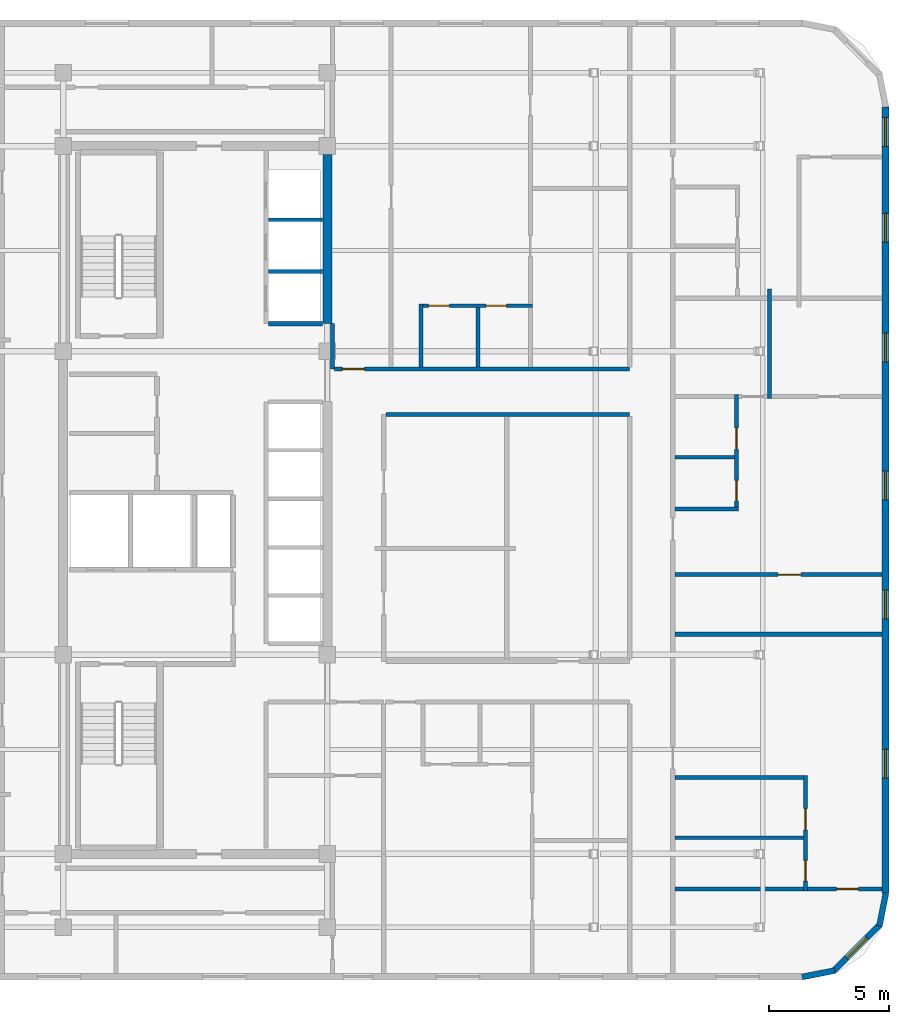
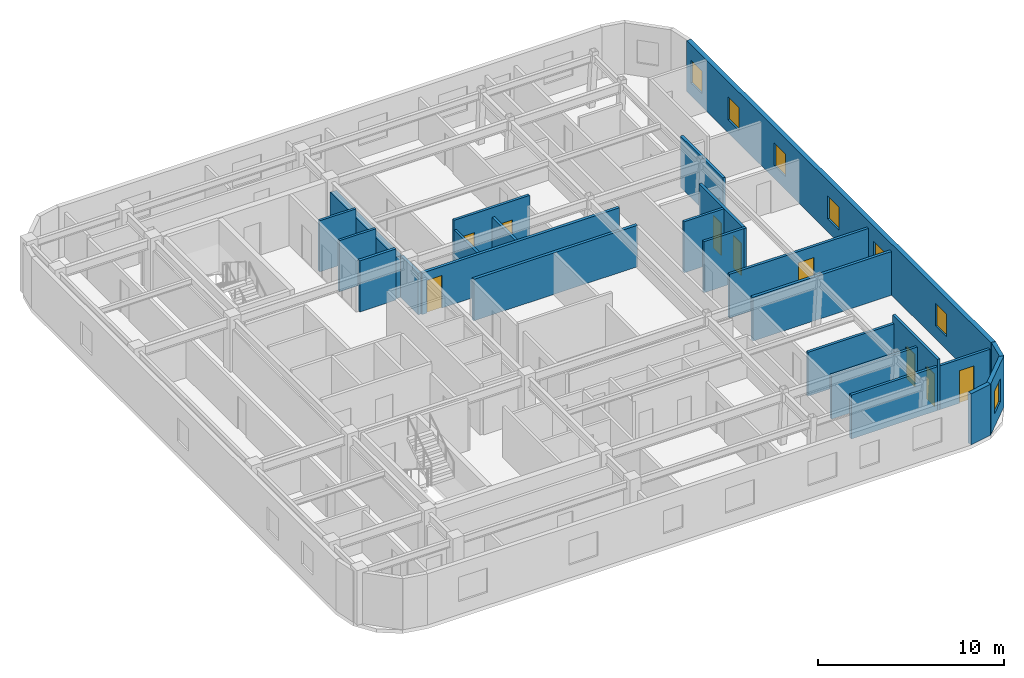
# One storey, part 5 of 8: 24 walls, 9 doors, 7 windows, 16 openings.
"""IFC4 building model written with IfcOpenShell, lengths in metres."""

from ifc_helpers import new_model, si_unit, direction, frame, frame_2d, origin, place, context, subcontext, project, spatial, rectangle, extrude, material, layer, layer_set, type_object, element, fill, save


model = new_model("IFC4")

# Units and contexts
model_context = context("Model", 3, precision=1e-05, world=origin(), true_north=direction((0.0, 1.0)))
body_context = subcontext(model_context, "Body", "Model", "MODEL_VIEW")
ifc_project = project(units=[si_unit("LENGTHUNIT", "METRE"), si_unit("AREAUNIT", "SQUARE_METRE"), si_unit("VOLUMEUNIT", "CUBIC_METRE"), si_unit("PLANEANGLEUNIT", "RADIAN"), si_unit("MASSUNIT", "GRAM", prefix="KILO")], contexts=[model_context])

# Site, building, storey
site_placement = place(None, origin())
site = spatial("IfcSite", under=ifc_project, at=site_placement, CompositionType="ELEMENT")
building_placement = place(site_placement, origin())
building = spatial("IfcBuilding", under=site, at=building_placement, Name="Ochreholt Gables", CompositionType="ELEMENT")
storey_placement = place(building_placement, frame((0.0, 0.0, 181.199951171875)))
storey = spatial("IfcBuildingStorey", under=building, at=storey_placement, Name="L47", CompositionType="ELEMENT", Elevation=181.199951171875)

# Wall
ifc_material_1 = material(Name="Concrete 50 MPa", Category="concrete")
ifc_layer_1 = layer(ifc_material_1, 0.3798828125, Name="Concrete 50 MPa")
ifc_layer_set_1 = layer_set([ifc_layer_1], Name="Concrete 50 MPa")
wall_type_1 = type_object("IfcWallType", Name="WALL-CSW-380", PredefinedType="SHEAR", material=ifc_layer_set_1)
wall_1_placement = place(storey_placement, frame((35.2099609375, 31.35009765625, 0.0), z_axis=(0.0, 0.0, 1.0), x_axis=(0.0, 1.0, 0.0)))
element("IfcWall", 1, at=wall_1_placement, inside=storey, type_object=wall_type_1, Name="L47 Core North-East Shear Wall", PredefinedType="SHEAR", context=body_context, shape_type="SweptSolid", body=[
    extrude(rectangle(XDim=7.0498046875, YDim=0.3798828125, at=frame_2d((3.52490234375, 0.0))), origin(), (0.0, 0.0, 1.0), 2.748046875),
])

# Wall, openings, windows
ifc_material_2 = material(Name="Precast concrete 40 MPa", Category="concrete")
ifc_layer_2 = layer(ifc_material_2, 0.280029296875, Name="Precast concrete 40 MPa")
ifc_layer_set_2 = layer_set([ifc_layer_2], Name="Precast concrete 40 MPa")
wall_type_2 = type_object("IfcWallType", Name="WALL-EXT-280", PredefinedType="SOLIDWALL", material=ifc_layer_set_2)
wall_2_placement = place(storey_placement, frame((58.4599609375, 7.6201171875, 0.0), z_axis=(0.0, 0.0, 1.0), x_axis=(0.0, 1.0, 0.0)))
wall_2 = element("IfcWall", 2, at=wall_2_placement, inside=storey, type_object=wall_type_2, Name="L47 East Exterior Wall", PredefinedType="SOLIDWALL", context=body_context, shape_type="SweptSolid", body=[
    extrude(rectangle(XDim=32.759765625, YDim=0.280029296875, at=frame_2d((16.3798828125, 0.0))), origin(), (0.0, 0.0, 1.0), 3.360107421875),
])
opening_1_placement = place(wall_2_placement, frame((4.7900390625, 0.0, 0.85009765625)))
opening_1 = element("IfcOpeningElement", 3, at=opening_1_placement, cuts=wall_2, Name="Opening WN-3", PredefinedType="OPENING", context=body_context, shape_type="SweptSolid", body=[
    extrude(rectangle(XDim=1.199951171875, YDim=1.5, at=frame_2d((0.60009765625, 0.75))), frame((0.0, 0.14990234375, 0.0), z_axis=(0.0, -1.0, 0.0), x_axis=(1.0, 0.0, 0.0)), (0.0, 0.0, 1.0), 0.300048828125),
])
opening_2_placement = place(wall_2_placement, frame((11.425048828125, 0.0, 0.85009765625)))
opening_2 = element("IfcOpeningElement", 4, at=opening_2_placement, cuts=wall_2, Name="Opening WN-3", PredefinedType="OPENING", context=body_context, shape_type="SweptSolid", body=[
    extrude(rectangle(XDim=1.199951171875, YDim=1.5, at=frame_2d((0.60009765625, 0.75))), frame((0.0, 0.14990234375, 0.0), z_axis=(0.0, -1.0, 0.0), x_axis=(1.0, 0.0, 0.0)), (0.0, 0.0, 1.0), 0.300048828125),
])
opening_3_placement = place(wall_2_placement, frame((16.3798828125, 0.0, 0.85009765625)))
opening_3 = element("IfcOpeningElement", 5, at=opening_3_placement, cuts=wall_2, Name="Opening WN-3", PredefinedType="OPENING", context=body_context, shape_type="SweptSolid", body=[
    extrude(rectangle(XDim=1.199951171875, YDim=1.5, at=frame_2d((0.60009765625, 0.75))), frame((0.0, 0.14990234375, 0.0), z_axis=(0.0, -1.0, 0.0), x_axis=(1.0, 0.0, 0.0)), (0.0, 0.0, 1.0), 0.300048828125),
])
opening_4_placement = place(wall_2_placement, frame((22.135009765625, 0.0, 0.85009765625)))
opening_4 = element("IfcOpeningElement", 6, at=opening_4_placement, cuts=wall_2, Name="Opening WN-3", PredefinedType="OPENING", context=body_context, shape_type="SweptSolid", body=[
    extrude(rectangle(XDim=1.199951171875, YDim=1.5, at=frame_2d((0.60009765625, 0.75))), frame((0.0, 0.14990234375, 0.0), z_axis=(0.0, -1.0, 0.0), x_axis=(1.0, 0.0, 0.0)), (0.0, 0.0, 1.0), 0.300048828125),
])
opening_5_placement = place(wall_2_placement, frame((27.125, 0.0, 0.85009765625)))
opening_5 = element("IfcOpeningElement", 7, at=opening_5_placement, cuts=wall_2, Name="Opening WN-3", PredefinedType="OPENING", context=body_context, shape_type="SweptSolid", body=[
    extrude(rectangle(XDim=1.199951171875, YDim=1.5, at=frame_2d((0.60009765625, 0.75))), frame((0.0, 0.14990234375, 0.0), z_axis=(0.0, -1.0, 0.0), x_axis=(1.0, 0.0, 0.0)), (0.0, 0.0, 1.0), 0.300048828125),
])
opening_6_placement = place(wall_2_placement, frame((31.114990234375, 0.0, 0.85009765625)))
opening_6 = element("IfcOpeningElement", 8, at=opening_6_placement, cuts=wall_2, Name="Opening WN-3", PredefinedType="OPENING", context=body_context, shape_type="SweptSolid", body=[
    extrude(rectangle(XDim=1.199951171875, YDim=1.5, at=frame_2d((0.60009765625, 0.75))), frame((0.0, 0.14990234375, 0.0), z_axis=(0.0, -1.0, 0.0), x_axis=(1.0, 0.0, 0.0)), (0.0, 0.0, 1.0), 0.300048828125),
])
ifc_material_3 = material(Name="Triple-Glazed Thermally Broken Aluminium Window", Category="aluminium")
window_type = type_object("IfcWindowType", Name="WIN-RES-1200", PartitioningType="SINGLE_PANEL", PredefinedType="WINDOW", material=ifc_material_3)
window_1_placement = place(opening_1_placement, origin())
window_1 = element("IfcWindow", 9, at=window_1_placement, inside=storey, type_object=window_type, Name="L47 Window W-EXT-E-L47-1", OverallHeight=1.5, OverallWidth=1.199951171875, PartitioningType="SINGLE_PANEL", PredefinedType="WINDOW", context=body_context, shape_type="SweptSolid", body=[
    extrude(rectangle(XDim=1.199951171875, YDim=1.5, at=frame_2d((0.60009765625, 0.75))), frame((0.0, 0.030029296875, 0.0), z_axis=(0.0, -1.0, 0.0), x_axis=(1.0, 0.0, 0.0)), (0.0, 0.0, 1.0), 0.06005859375),
])
fill(opening_1, window_1)
window_2_placement = place(opening_2_placement, origin())
window_2 = element("IfcWindow", 10, at=window_2_placement, inside=storey, type_object=window_type, Name="L47 Window W-EXT-E-L47-2", OverallHeight=1.5, OverallWidth=1.199951171875, PartitioningType="SINGLE_PANEL", PredefinedType="WINDOW", context=body_context, shape_type="SweptSolid", body=[
    extrude(rectangle(XDim=1.199951171875, YDim=1.5, at=frame_2d((0.60009765625, 0.75))), frame((0.0, 0.030029296875, 0.0), z_axis=(0.0, -1.0, 0.0), x_axis=(1.0, 0.0, 0.0)), (0.0, 0.0, 1.0), 0.06005859375),
])
fill(opening_2, window_2)
window_3_placement = place(opening_3_placement, origin())
window_3 = element("IfcWindow", 11, at=window_3_placement, inside=storey, type_object=window_type, Name="L47 Window W-EXT-E-L47-3", OverallHeight=1.5, OverallWidth=1.199951171875, PartitioningType="SINGLE_PANEL", PredefinedType="WINDOW", context=body_context, shape_type="SweptSolid", body=[
    extrude(rectangle(XDim=1.199951171875, YDim=1.5, at=frame_2d((0.60009765625, 0.75))), frame((0.0, 0.030029296875, 0.0), z_axis=(0.0, -1.0, 0.0), x_axis=(1.0, 0.0, 0.0)), (0.0, 0.0, 1.0), 0.06005859375),
])
fill(opening_3, window_3)
window_4_placement = place(opening_4_placement, origin())
window_4 = element("IfcWindow", 12, at=window_4_placement, inside=storey, type_object=window_type, Name="L47 Window W-EXT-E-L47-4", OverallHeight=1.5, OverallWidth=1.199951171875, PartitioningType="SINGLE_PANEL", PredefinedType="WINDOW", context=body_context, shape_type="SweptSolid", body=[
    extrude(rectangle(XDim=1.199951171875, YDim=1.5, at=frame_2d((0.60009765625, 0.75))), frame((0.0, 0.030029296875, 0.0), z_axis=(0.0, -1.0, 0.0), x_axis=(1.0, 0.0, 0.0)), (0.0, 0.0, 1.0), 0.06005859375),
])
fill(opening_4, window_4)
window_5_placement = place(opening_5_placement, origin())
window_5 = element("IfcWindow", 13, at=window_5_placement, inside=storey, type_object=window_type, Name="L47 Window W-EXT-E-L47-5", OverallHeight=1.5, OverallWidth=1.199951171875, PartitioningType="SINGLE_PANEL", PredefinedType="WINDOW", context=body_context, shape_type="SweptSolid", body=[
    extrude(rectangle(XDim=1.199951171875, YDim=1.5, at=frame_2d((0.60009765625, 0.75))), frame((0.0, 0.030029296875, 0.0), z_axis=(0.0, -1.0, 0.0), x_axis=(1.0, 0.0, 0.0)), (0.0, 0.0, 1.0), 0.06005859375),
])
fill(opening_5, window_5)
window_6_placement = place(opening_6_placement, origin())
window_6 = element("IfcWindow", 14, at=window_6_placement, inside=storey, type_object=window_type, Name="L47 Window W-EXT-E-L47-6", OverallHeight=1.5, OverallWidth=1.199951171875, PartitioningType="SINGLE_PANEL", PredefinedType="WINDOW", context=body_context, shape_type="SweptSolid", body=[
    extrude(rectangle(XDim=1.199951171875, YDim=1.5, at=frame_2d((0.60009765625, 0.75))), frame((0.0, 0.030029296875, 0.0), z_axis=(0.0, -1.0, 0.0), x_axis=(1.0, 0.0, 0.0)), (0.0, 0.0, 1.0), 0.06005859375),
])
fill(opening_6, window_6)

# Wall
ifc_layer_3 = layer(ifc_material_2, 0.25, Name="Precast concrete 40 MPa")
ifc_layer_set_3 = layer_set([ifc_layer_3], Name="Precast concrete 40 MPa")
wall_type_3 = type_object("IfcWallType", Name="WALL-EXT-CNR", PredefinedType="SOLIDWALL", material=ifc_layer_set_3)
wall_3_placement = place(storey_placement, frame((54.9833984375, 4.124267578125, 0.0), z_axis=(0.0, 0.0, 1.0), x_axis=(0.980809899341, 0.19496651342, 0.0)))
element("IfcWall", 15, at=wall_3_placement, inside=storey, type_object=wall_type_3, Name="L47 Rounded Corner Wall SE-1", PredefinedType="SOLIDWALL", context=body_context, shape_type="SweptSolid", body=[
    extrude(rectangle(XDim=1.388671875, YDim=0.25, at=frame_2d((0.6943359375, 0.0))), origin(), (0.0, 0.0, 1.0), 3.360107421875),
])

# Wall, opening, window
wall_4_placement = place(storey_placement, frame((56.294921875, 4.367919921875, 0.0), z_axis=(0.0, 0.0, 1.0), x_axis=(0.707106781187, 0.707106781187, 0.0)))
wall_4 = element("IfcWall", 16, at=wall_4_placement, inside=storey, type_object=wall_type_3, Name="L47 Rounded Corner Wall SE-2", PredefinedType="SOLIDWALL", context=body_context, shape_type="SweptSolid", body=[
    extrude(rectangle(XDim=2.7392578125, YDim=0.25, at=frame_2d((1.36962890625, 0.0))), origin(), (0.0, 0.0, 1.0), 3.360107421875),
])
opening_7_placement = place(wall_4_placement, frame((0.769775390625, 0.0, 0.85009765625)))
opening_7 = element("IfcOpeningElement", 17, at=opening_7_placement, cuts=wall_4, Name="Opening WN-3", PredefinedType="OPENING", context=body_context, shape_type="SweptSolid", body=[
    extrude(rectangle(XDim=1.199951171875, YDim=1.5, at=frame_2d((0.60009765625, 0.75))), frame((0.0, 0.135009765625, 0.0), z_axis=(0.0, -1.0, 0.0), x_axis=(1.0, 0.0, 0.0)), (0.0, 0.0, 1.0), 0.27001953125),
])
window_7_placement = place(opening_7_placement, origin())
window_7 = element("IfcWindow", 18, at=window_7_placement, inside=storey, type_object=window_type, Name="L47 Corner Bedroom Window SE", OverallHeight=1.5, OverallWidth=1.199951171875, PartitioningType="SINGLE_PANEL", PredefinedType="WINDOW", context=body_context, shape_type="SweptSolid", body=[
    extrude(rectangle(XDim=1.199951171875, YDim=1.5, at=frame_2d((0.60009765625, 0.75))), frame((0.0, 0.030029296875, 0.0), z_axis=(0.0, -1.0, 0.0), x_axis=(1.0, 0.0, 0.0)), (0.0, 0.0, 1.0), 0.06005859375),
])
fill(opening_7, window_7)

# Walls
wall_5_placement = place(storey_placement, frame((58.205078125, 6.25439453125, 0.0), z_axis=(0.0, 0.0, 1.0), x_axis=(0.19496651342, 0.980809899341, 0.0)))
element("IfcWall", 19, at=wall_5_placement, inside=storey, type_object=wall_type_3, Name="L47 Rounded Corner Wall SE-3", PredefinedType="SOLIDWALL", context=body_context, shape_type="SweptSolid", body=[
    extrude(rectangle(XDim=1.388671875, YDim=0.25, at=frame_2d((0.6943359375, 0.0))), origin(), (0.0, 0.0, 1.0), 3.360107421875),
])
ifc_material_4 = material(Name="Fire-Rated Gypsum Acoustic Partition", Category="gypsum")
ifc_layer_4 = layer(ifc_material_4, 0.179931640625, Name="Fire-Rated Gypsum Acoustic Partition")
ifc_layer_set_4 = layer_set([ifc_layer_4], Name="Fire-Rated Gypsum Acoustic Partition")
wall_type_4 = type_object("IfcWallType", Name="WALL-INT-CR180", PredefinedType="STANDARD", material=ifc_layer_set_4)
wall_6_placement = place(storey_placement, frame((37.639892578125, 27.56005859375, 0.0), z_axis=(0.0, 0.0, 1.0), x_axis=(1.0, 0.0, 0.0)))
element("IfcWall", 20, at=wall_6_placement, inside=storey, type_object=wall_type_4, Name="L47 Interior Wall WI-C2SN1-L47", PredefinedType="STANDARD", context=body_context, shape_type="SweptSolid", body=[
    extrude(rectangle(XDim=10.16015625, YDim=0.179931640625, at=frame_2d((5.080078125, 0.0))), origin(), (0.0, 0.0, 1.0), 2.72998046875),
])
wall_7_placement = place(storey_placement, frame((35.419921875, 29.4599609375, 0.0), z_axis=(0.0, 0.0, 1.0), x_axis=(0.0, 1.0, 0.0)))
element("IfcWall", 21, at=wall_7_placement, inside=storey, type_object=wall_type_4, Name="L47 Interior Wall WI-C2NCL-L47", PredefinedType="STANDARD", context=body_context, shape_type="SweptSolid", body=[
    extrude(rectangle(XDim=1.89013671875, YDim=0.179931640625, at=frame_2d((0.945068359375, 0.0))), origin(), (0.0, 0.0, 1.0), 2.72998046875),
])

# Wall, opening, door
wall_8_placement = place(storey_placement, frame((35.510009765625, 29.4599609375, 0.0), z_axis=(0.0, 0.0, 1.0), x_axis=(1.0, 0.0, 0.0)))
wall_8 = element("IfcWall", 22, at=wall_8_placement, inside=storey, type_object=wall_type_4, Name="L47 Interior Wall WI-C2SN2-L47", PredefinedType="STANDARD", context=body_context, shape_type="SweptSolid", body=[
    extrude(rectangle(XDim=12.2900390625, YDim=0.179931640625, at=frame_2d((6.14501953125, 0.0))), origin(), (0.0, 0.0, 1.0), 2.72998046875),
])
opening_8_placement = place(wall_8_placement, frame((0.320068359375, 0.0, 0.0)))
opening_8 = element("IfcOpeningElement", 23, at=opening_8_placement, cuts=wall_8, Name="Opening D-UN1", PredefinedType="OPENING", context=body_context, shape_type="SweptSolid", body=[
    extrude(rectangle(XDim=0.919921875, YDim=2.14990234375, at=frame_2d((0.4599609375, 1.074951171875))), frame((0.0, 0.099853515625, 0.0), z_axis=(0.0, -1.0, 0.0), x_axis=(1.0, 0.0, 0.0)), (0.0, 0.0, 1.0), 0.199951171875),
])
ifc_material_5 = material(Name="Engineered Oak Timber", Category="wood")
door_type_1 = type_object("IfcDoorType", Name="DR-INT-UNT920", OperationType="NOTDEFINED", PredefinedType="DOOR", material=ifc_material_5)
door_1_placement = place(opening_8_placement, origin())
door_1 = element("IfcDoor", 24, at=door_1_placement, inside=storey, type_object=door_type_1, Name="L47 Door D-U-L47N1-ENT", OperationType="SINGLE_SWING_LEFT", OverallHeight=2.14990234375, OverallWidth=0.919921875, PredefinedType="DOOR", context=body_context, shape_type="SweptSolid", body=[
    extrude(rectangle(XDim=0.919921875, YDim=2.14990234375, at=frame_2d((0.4599609375, 1.074951171875))), frame((0.0, 0.02490234375, 0.0), z_axis=(0.0, -1.0, 0.0), x_axis=(1.0, 0.0, 0.0)), (0.0, 0.0, 1.0), 0.050048828125),
])
fill(opening_8, door_1)

# Wall
ifc_material_6 = material(Name="Double-Stud Acoustic Demising Wall", Category="gypsum")
ifc_layer_5 = layer(ifc_material_6, 0.179931640625, Name="Double-Stud Acoustic Demising Wall")
ifc_layer_set_5 = layer_set([ifc_layer_5], Name="Double-Stud Acoustic Demising Wall")
wall_type_5 = type_object("IfcWallType", Name="WALL-INT-DM180", PredefinedType="PARTITIONING", material=ifc_layer_set_5)
wall_9_placement = place(storey_placement, frame((49.68994140625, 18.39990234375, 0.0), z_axis=(0.0, 0.0, 1.0), x_axis=(1.0, 0.0, 0.0)))
element("IfcWall", 25, at=wall_9_placement, inside=storey, type_object=wall_type_5, Name="L47 Interior Wall WI-C2FED2-L47", PredefinedType="PARTITIONING", context=body_context, shape_type="SweptSolid", body=[
    extrude(rectangle(XDim=8.630126953125, YDim=0.179931640625, at=frame_2d((4.31494140625, 0.0))), origin(), (0.0, 0.0, 1.0), 2.879150390625),
])

# Wall, openings, doors
ifc_material_7 = material(Name="Moisture-Resistant Plumbing Chase Wall", Category="gypsum")
ifc_layer_6 = layer(ifc_material_7, 0.159912109375, Name="Moisture-Resistant Plumbing Chase Wall")
ifc_layer_set_6 = layer_set([ifc_layer_6], Name="Moisture-Resistant Plumbing Chase Wall")
wall_type_6 = type_object("IfcWallType", Name="WALL-INT-PL160", PredefinedType="PLUMBINGWALL", material=ifc_layer_set_6)
wall_10_placement = place(storey_placement, frame((39.030029296875, 32.094970703125, 0.0), z_axis=(0.0, 0.0, 1.0), x_axis=(1.0, 0.0, 0.0)))
wall_10 = element("IfcWall", 26, at=wall_10_placement, inside=storey, type_object=wall_type_6, Name="L47 Interior Wall WU-L47N1-WY", PredefinedType="PLUMBINGWALL", context=body_context, shape_type="SweptSolid", body=[
    extrude(rectangle(XDim=4.7099609375, YDim=0.159912109375, at=frame_2d((2.35498046875, 0.0))), origin(), (0.0, 0.0, 1.0), 3.360107421875),
])
opening_9_placement = place(wall_10_placement, frame((0.3798828125, 0.0, 0.0)))
opening_9 = element("IfcOpeningElement", 27, at=opening_9_placement, cuts=wall_10, Name="Opening D-GN2", PredefinedType="OPENING", context=body_context, shape_type="SweptSolid", body=[
    extrude(rectangle(XDim=0.8798828125, YDim=2.1201171875, at=frame_2d((0.43994140625, 1.06005859375))), frame((0.0, 0.08984375, 0.0), z_axis=(0.0, -1.0, 0.0), x_axis=(1.0, 0.0, 0.0)), (0.0, 0.0, 1.0), 0.179931640625),
])
opening_10_placement = place(wall_10_placement, frame((2.785888671875, 0.0, 0.0)))
opening_10 = element("IfcOpeningElement", 28, at=opening_10_placement, cuts=wall_10, Name="Opening D-BT1", PredefinedType="OPENING", context=body_context, shape_type="SweptSolid", body=[
    extrude(rectangle(XDim=0.860107421875, YDim=2.1201171875, at=frame_2d((0.43017578125, 1.06005859375))), frame((0.0, 0.08984375, 0.0), z_axis=(0.0, -1.0, 0.0), x_axis=(1.0, 0.0, 0.0)), (0.0, 0.0, 1.0), 0.179931640625),
])
door_type_2 = type_object("IfcDoorType", Name="DR-INT-BTH860", OperationType="NOTDEFINED", PredefinedType="DOOR", material=ifc_material_5)
door_2_placement = place(opening_10_placement, origin())
door_2 = element("IfcDoor", 29, at=door_2_placement, inside=storey, type_object=door_type_2, Name="L47 Door D-U-L47N1-BTH", OperationType="SINGLE_SWING_LEFT", OverallHeight=2.1201171875, OverallWidth=0.860107421875, PredefinedType="DOOR", context=body_context, shape_type="SweptSolid", body=[
    extrude(rectangle(XDim=0.860107421875, YDim=2.1201171875, at=frame_2d((0.43017578125, 1.06005859375))), frame((0.0, 0.02490234375, 0.0), z_axis=(0.0, -1.0, 0.0), x_axis=(1.0, 0.0, 0.0)), (0.0, 0.0, 1.0), 0.050048828125),
])
fill(opening_10, door_2)
door_type_3 = type_object("IfcDoorType", Name="DR-INT-GEN880", OperationType="NOTDEFINED", PredefinedType="DOOR", material=ifc_material_5)
door_3_placement = place(opening_9_placement, origin())
door_3 = element("IfcDoor", 30, at=door_3_placement, inside=storey, type_object=door_type_3, Name="L47 Door D-U-L47N1-KIT", OperationType="SINGLE_SWING_RIGHT", OverallHeight=2.1201171875, OverallWidth=0.8798828125, PredefinedType="DOOR", context=body_context, shape_type="SweptSolid", body=[
    extrude(rectangle(XDim=0.8798828125, YDim=2.1201171875, at=frame_2d((0.43994140625, 1.06005859375))), frame((0.0, 0.02490234375, 0.0), z_axis=(0.0, -1.0, 0.0), x_axis=(1.0, 0.0, 0.0)), (0.0, 0.0, 1.0), 0.050048828125),
])
fill(opening_9, door_3)

# Walls
wall_11_placement = place(storey_placement, frame((39.110107421875, 29.550048828125, 0.0), z_axis=(0.0, 0.0, 1.0), x_axis=(0.0, 1.0, 0.0)))
element("IfcWall", 31, at=wall_11_placement, inside=storey, type_object=wall_type_6, Name="L47 Interior Wall WU-L47N1-FY", PredefinedType="PLUMBINGWALL", context=body_context, shape_type="SweptSolid", body=[
    extrude(rectangle(XDim=2.625, YDim=0.159912109375, at=frame_2d((1.3125, 0.0))), origin(), (0.0, 0.0, 1.0), 2.72998046875),
])
wall_12_placement = place(storey_placement, frame((41.47607421875, 29.550048828125, 0.0), z_axis=(0.0, 0.0, 1.0), x_axis=(0.0, 1.0, 0.0)))
element("IfcWall", 32, at=wall_12_placement, inside=storey, type_object=wall_type_6, Name="L47 Interior Wall WU-L47N1-WK", PredefinedType="PLUMBINGWALL", context=body_context, shape_type="SweptSolid", body=[
    extrude(rectangle(XDim=2.46484375, YDim=0.159912109375, at=frame_2d((1.232421875, 0.0))), origin(), (0.0, 0.0, 1.0), 2.72998046875),
])
wall_13_placement = place(storey_placement, frame((49.68994140625, 12.43994140625, 0.0), z_axis=(0.0, 0.0, 1.0), x_axis=(1.0, 0.0, 0.0)))
element("IfcWall", 33, at=wall_13_placement, inside=storey, type_object=wall_type_6, Name="L47 Interior Wall WU-L47FE1-FYN", PredefinedType="PLUMBINGWALL", context=body_context, shape_type="SweptSolid", body=[
    extrude(rectangle(XDim=5.51123046875, YDim=0.159912109375, at=frame_2d((2.755615234375, 0.0))), origin(), (0.0, 0.0, 1.0), 2.879150390625),
])

# Wall, openings, doors
wall_14_placement = place(storey_placement, frame((55.12109375, 7.699951171875, 0.0), z_axis=(0.0, 0.0, 1.0), x_axis=(0.0, 1.0, 0.0)))
wall_14 = element("IfcWall", 34, at=wall_14_placement, inside=storey, type_object=wall_type_6, Name="L47 Interior Wall WU-L47FE1-WX", PredefinedType="PLUMBINGWALL", context=body_context, shape_type="SweptSolid", body=[
    extrude(rectangle(XDim=4.830078125, YDim=0.159912109375, at=frame_2d((2.4150390625, 0.0))), origin(), (0.0, 0.0, 1.0), 3.360107421875),
])
opening_11_placement = place(wall_14_placement, frame((0.419921875, 0.0, 0.0)))
opening_11 = element("IfcOpeningElement", 35, at=opening_11_placement, cuts=wall_14, Name="Opening D-BT1", PredefinedType="OPENING", context=body_context, shape_type="SweptSolid", body=[
    extrude(rectangle(XDim=0.860107421875, YDim=2.1201171875, at=frame_2d((0.43017578125, 1.06005859375))), frame((0.0, 0.08984375, 0.0), z_axis=(0.0, -1.0, 0.0), x_axis=(1.0, 0.0, 0.0)), (0.0, 0.0, 1.0), 0.179931640625),
])
opening_12_placement = place(wall_14_placement, frame((2.55908203125, 0.0, 0.0)))
opening_12 = element("IfcOpeningElement", 36, at=opening_12_placement, cuts=wall_14, Name="Opening D-GN2", PredefinedType="OPENING", context=body_context, shape_type="SweptSolid", body=[
    extrude(rectangle(XDim=0.8798828125, YDim=2.1201171875, at=frame_2d((0.43994140625, 1.06005859375))), frame((0.0, 0.08984375, 0.0), z_axis=(0.0, -1.0, 0.0), x_axis=(1.0, 0.0, 0.0)), (0.0, 0.0, 1.0), 0.179931640625),
])
door_4_placement = place(opening_11_placement, origin())
door_4 = element("IfcDoor", 37, at=door_4_placement, inside=storey, type_object=door_type_2, Name="L47 Door D-U-L47FE1-BTH", OperationType="SINGLE_SWING_LEFT", OverallHeight=2.1201171875, OverallWidth=0.860107421875, PredefinedType="DOOR", context=body_context, shape_type="SweptSolid", body=[
    extrude(rectangle(XDim=0.860107421875, YDim=2.1201171875, at=frame_2d((0.43017578125, 1.06005859375))), frame((0.0, 0.02490234375, 0.0), z_axis=(0.0, -1.0, 0.0), x_axis=(1.0, 0.0, 0.0)), (0.0, 0.0, 1.0), 0.050048828125),
])
fill(opening_11, door_4)
door_5_placement = place(opening_12_placement, origin())
door_5 = element("IfcDoor", 38, at=door_5_placement, inside=storey, type_object=door_type_3, Name="L47 Door D-U-L47FE1-KIT", OperationType="SINGLE_SWING_RIGHT", OverallHeight=2.1201171875, OverallWidth=0.8798828125, PredefinedType="DOOR", context=body_context, shape_type="SweptSolid", body=[
    extrude(rectangle(XDim=0.8798828125, YDim=2.1201171875, at=frame_2d((0.43994140625, 1.06005859375))), frame((0.0, 0.02490234375, 0.0), z_axis=(0.0, -1.0, 0.0), x_axis=(1.0, 0.0, 0.0)), (0.0, 0.0, 1.0), 0.050048828125),
])
fill(opening_12, door_5)

# Walls
wall_15_placement = place(storey_placement, frame((49.68994140625, 9.928955078125, 0.0), z_axis=(0.0, 0.0, 1.0), x_axis=(1.0, 0.0, 0.0)))
element("IfcWall", 39, at=wall_15_placement, inside=storey, type_object=wall_type_6, Name="L47 Interior Wall WU-L47FE1-WK", PredefinedType="PLUMBINGWALL", context=body_context, shape_type="SweptSolid", body=[
    extrude(rectangle(XDim=5.351318359375, YDim=0.159912109375, at=frame_2d((2.67578125, 0.0))), origin(), (0.0, 0.0, 1.0), 2.879150390625),
])
wall_16_placement = place(storey_placement, frame((49.68994140625, 23.631591796875, 0.0), z_axis=(0.0, 0.0, 1.0), x_axis=(1.0, 0.0, 0.0)))
element("IfcWall", 40, at=wall_16_placement, inside=storey, type_object=wall_type_6, Name="L47 Interior Wall WU-L47FE2-FYS", PredefinedType="PLUMBINGWALL", context=body_context, shape_type="SweptSolid", body=[
    extrude(rectangle(XDim=2.635986328125, YDim=0.159912109375, at=frame_2d((1.31787109375, 0.0))), origin(), (0.0, 0.0, 1.0), 3.360107421875),
])

# Wall, openings, doors
wall_17_placement = place(storey_placement, frame((52.24609375, 23.54150390625, 0.0), z_axis=(0.0, 0.0, 1.0), x_axis=(0.0, 1.0, 0.0)))
wall_17 = element("IfcWall", 41, at=wall_17_placement, inside=storey, type_object=wall_type_6, Name="L47 Interior Wall WU-L47FE2-WX", PredefinedType="PLUMBINGWALL", context=body_context, shape_type="SweptSolid", body=[
    extrude(rectangle(XDim=4.8583984375, YDim=0.159912109375, at=frame_2d((2.42919921875, 0.0))), origin(), (0.0, 0.0, 1.0), 3.360107421875),
])
opening_13_placement = place(wall_17_placement, frame((0.419921875, 0.0, 0.0)))
opening_13 = element("IfcOpeningElement", 42, at=opening_13_placement, cuts=wall_17, Name="Opening D-BT1", PredefinedType="OPENING", context=body_context, shape_type="SweptSolid", body=[
    extrude(rectangle(XDim=0.860107421875, YDim=2.1201171875, at=frame_2d((0.43017578125, 1.06005859375))), frame((0.0, 0.08984375, 0.0), z_axis=(0.0, -1.0, 0.0), x_axis=(1.0, 0.0, 0.0)), (0.0, 0.0, 1.0), 0.179931640625),
])
opening_14_placement = place(wall_17_placement, frame((2.572021484375, 0.0, 0.0)))
opening_14 = element("IfcOpeningElement", 43, at=opening_14_placement, cuts=wall_17, Name="Opening D-GN2", PredefinedType="OPENING", context=body_context, shape_type="SweptSolid", body=[
    extrude(rectangle(XDim=0.8798828125, YDim=2.1201171875, at=frame_2d((0.43994140625, 1.06005859375))), frame((0.0, 0.08984375, 0.0), z_axis=(0.0, -1.0, 0.0), x_axis=(1.0, 0.0, 0.0)), (0.0, 0.0, 1.0), 0.179931640625),
])
door_6_placement = place(opening_13_placement, origin())
door_6 = element("IfcDoor", 44, at=door_6_placement, inside=storey, type_object=door_type_2, Name="L47 Door D-U-L47FE2-BTH", OperationType="SINGLE_SWING_RIGHT", OverallHeight=2.1201171875, OverallWidth=0.860107421875, PredefinedType="DOOR", context=body_context, shape_type="SweptSolid", body=[
    extrude(rectangle(XDim=0.860107421875, YDim=2.1201171875, at=frame_2d((0.43017578125, 1.06005859375))), frame((0.0, 0.02490234375, 0.0), z_axis=(0.0, -1.0, 0.0), x_axis=(1.0, 0.0, 0.0)), (0.0, 0.0, 1.0), 0.050048828125),
])
fill(opening_13, door_6)
door_7_placement = place(opening_14_placement, origin())
door_7 = element("IfcDoor", 45, at=door_7_placement, inside=storey, type_object=door_type_3, Name="L47 Door D-U-L47FE2-KIT", OperationType="SINGLE_SWING_LEFT", OverallHeight=2.1201171875, OverallWidth=0.8798828125, PredefinedType="DOOR", context=body_context, shape_type="SweptSolid", body=[
    extrude(rectangle(XDim=0.8798828125, YDim=2.1201171875, at=frame_2d((0.43994140625, 1.06005859375))), frame((0.0, 0.02490234375, 0.0), z_axis=(0.0, -1.0, 0.0), x_axis=(1.0, 0.0, 0.0)), (0.0, 0.0, 1.0), 0.050048828125),
])
fill(opening_14, door_7)

# Wall
wall_18_placement = place(storey_placement, frame((49.68994140625, 25.78369140625, 0.0), z_axis=(0.0, 0.0, 1.0), x_axis=(1.0, 0.0, 0.0)))
element("IfcWall", 46, at=wall_18_placement, inside=storey, type_object=wall_type_6, Name="L47 Interior Wall WU-L47FE2-WK", PredefinedType="PLUMBINGWALL", context=body_context, shape_type="SweptSolid", body=[
    extrude(rectangle(XDim=2.47607421875, YDim=0.159912109375, at=frame_2d((1.238037109375, 0.0))), origin(), (0.0, 0.0, 1.0), 3.360107421875),
])

# Wall, opening, door
ifc_material_8 = material(Name="Gypsum Acoustic Stud Partition", Category="gypsum")
ifc_layer_7 = layer(ifc_material_8, 0.1650390625, Name="Gypsum Acoustic Stud Partition")
ifc_layer_set_7 = layer_set([ifc_layer_7], Name="Gypsum Acoustic Stud Partition")
wall_type_7 = type_object("IfcWallType", Name="WALL-INT-PT165", PredefinedType="PARTITIONING", material=ifc_layer_set_7)
wall_19_placement = place(storey_placement, frame((49.68994140625, 7.7900390625, 0.0), z_axis=(0.0, 0.0, 1.0), x_axis=(1.0, 0.0, 0.0)))
wall_19 = element("IfcWall", 47, at=wall_19_placement, inside=storey, type_object=wall_type_7, Name="L47 Interior Wall WU-L47FE1-MN", PredefinedType="PARTITIONING", context=body_context, shape_type="SweptSolid", body=[
    extrude(rectangle(XDim=8.630126953125, YDim=0.1650390625, at=frame_2d((4.31494140625, 0.0))), origin(), (0.0, 0.0, 1.0), 2.879150390625),
])
opening_15_placement = place(wall_19_placement, frame((6.735595703125, 0.0, 0.0)))
opening_15 = element("IfcOpeningElement", 48, at=opening_15_placement, cuts=wall_19, Name="Opening D-BD1", PredefinedType="OPENING", context=body_context, shape_type="SweptSolid", body=[
    extrude(rectangle(XDim=0.89990234375, YDim=2.139892578125, at=frame_2d((0.449951171875, 1.06982421875))), frame((0.0, 0.092529296875, 0.0), z_axis=(0.0, -1.0, 0.0), x_axis=(1.0, 0.0, 0.0)), (0.0, 0.0, 1.0), 0.18505859375),
])
door_type_4 = type_object("IfcDoorType", Name="DR-INT-BED900", OperationType="NOTDEFINED", PredefinedType="DOOR", material=ifc_material_5)
door_8_placement = place(opening_15_placement, origin())
door_8 = element("IfcDoor", 49, at=door_8_placement, inside=storey, type_object=door_type_4, Name="L47 Door D-U-L47FE1-BD1", OperationType="SINGLE_SWING_LEFT", OverallHeight=2.139892578125, OverallWidth=0.89990234375, PredefinedType="DOOR", context=body_context, shape_type="SweptSolid", body=[
    extrude(rectangle(XDim=0.89990234375, YDim=2.139892578125, at=frame_2d((0.449951171875, 1.06982421875))), frame((0.0, 0.02490234375, 0.0), z_axis=(0.0, -1.0, 0.0), x_axis=(1.0, 0.0, 0.0)), (0.0, 0.0, 1.0), 0.050048828125),
])
fill(opening_15, door_8)

wall_20_placement = place(storey_placement, frame((49.68994140625, 20.889892578125, 0.0), z_axis=(0.0, 0.0, 1.0), x_axis=(1.0, 0.0, 0.0)))
wall_20 = element("IfcWall", 50, at=wall_20_placement, inside=storey, type_object=wall_type_7, Name="L47 Interior Wall WU-L47FE2-DNW", PredefinedType="PARTITIONING", context=body_context, shape_type="SweptSolid", body=[
    extrude(rectangle(XDim=8.630126953125, YDim=0.1650390625, at=frame_2d((4.31494140625, 0.0))), origin(), (0.0, 0.0, 1.0), 2.879150390625),
])
opening_16_placement = place(wall_20_placement, frame((4.2900390625, 0.0, 0.0)))
opening_16 = element("IfcOpeningElement", 51, at=opening_16_placement, cuts=wall_20, Name="Opening D-GN1", PredefinedType="OPENING", context=body_context, shape_type="SweptSolid", body=[
    extrude(rectangle(XDim=0.949951171875, YDim=2.14990234375, at=frame_2d((0.47509765625, 1.074951171875))), frame((0.0, 0.092529296875, 0.0), z_axis=(0.0, -1.0, 0.0), x_axis=(1.0, 0.0, 0.0)), (0.0, 0.0, 1.0), 0.18505859375),
])
door_type_5 = type_object("IfcDoorType", Name="DR-INT-GEN950", OperationType="NOTDEFINED", PredefinedType="DOOR", material=ifc_material_5)
door_9_placement = place(opening_16_placement, origin())
door_9 = element("IfcDoor", 52, at=door_9_placement, inside=storey, type_object=door_type_5, Name="L47 Door D-U-L47FE2-DIN", OperationType="SINGLE_SWING_RIGHT", OverallHeight=2.14990234375, OverallWidth=0.949951171875, PredefinedType="DOOR", context=body_context, shape_type="SweptSolid", body=[
    extrude(rectangle(XDim=0.949951171875, YDim=2.14990234375, at=frame_2d((0.47509765625, 1.074951171875))), frame((0.0, 0.02490234375, 0.0), z_axis=(0.0, -1.0, 0.0), x_axis=(1.0, 0.0, 0.0)), (0.0, 0.0, 1.0), 0.050048828125),
])
fill(opening_16, door_9)

# Walls
wall_21_placement = place(storey_placement, frame((53.632080078125, 28.22998046875, 0.0), z_axis=(0.0, 0.0, 1.0), x_axis=(0.0, 1.0, 0.0)))
element("IfcWall", 53, at=wall_21_placement, inside=storey, type_object=wall_type_7, Name="L47 Interior Wall WU-L47FE2-BSD", PredefinedType="PARTITIONING", context=body_context, shape_type="SweptSolid", body=[
    extrude(rectangle(XDim=4.56005859375, YDim=0.1650390625, at=frame_2d((2.280029296875, 0.0))), origin(), (0.0, 0.0, 1.0), 3.360107421875),
])
ifc_material_9 = material(Name="Gypsum Shaftliner and Steel Stud", Category="steel")
ifc_layer_8 = layer(ifc_material_9, 0.14990234375, Name="Gypsum Shaftliner and Steel Stud")
ifc_layer_set_8 = layer_set([ifc_layer_8], Name="Gypsum Shaftliner and Steel Stud")
wall_type_8 = type_object("IfcWallType", Name="WALL-INT-SH150", PredefinedType="STANDARD", material=ifc_layer_set_8)
for number, where, z_axis, x_axis, name in (
    (54, (32.739990234375, 33.52001953125, 0.0), (0.0, 0.0, 1.0), (1.0, 0.0, 0.0), "L47 Interior Wall WI-LFM-D1-L47"),
    (55, (32.739990234375, 35.669921875, 0.0), (0.0, 0.0, 1.0), (1.0, 0.0, 0.0), "L47 Interior Wall WI-LFM-D2-L47"),
):
    element("IfcWall", number, at=place(storey_placement, frame(where, z_axis=z_axis, x_axis=x_axis)), inside=storey, type_object=wall_type_8, Name=name, PredefinedType="STANDARD", context=body_context, shape_type="SweptSolid", body=[
        extrude(rectangle(XDim=2.260009765625, YDim=0.14990234375, at=frame_2d((1.1298828125, 0.0))), origin(), (0.0, 0.0, 1.0), 3.360107421875),
    ])
ifc_layer_9 = layer(ifc_material_9, 0.179931640625, Name="Gypsum Shaftliner and Steel Stud")
ifc_layer_set_9 = layer_set([ifc_layer_9], Name="Gypsum Shaftliner and Steel Stud")
wall_type_9 = type_object("IfcWallType", Name="WALL-INT-SH180", PredefinedType="STANDARD", material=ifc_layer_set_9)
wall_22_placement = place(storey_placement, frame((32.739990234375, 31.35009765625, 0.0), z_axis=(0.0, 0.0, 1.0), x_axis=(1.0, 0.0, 0.0)))
element("IfcWall", 56, at=wall_22_placement, inside=storey, type_object=wall_type_9, Name="L47 Interior Wall WI-LFM-S-L47", PredefinedType="STANDARD", context=body_context, shape_type="SweptSolid", body=[
    extrude(rectangle(XDim=2.260009765625, YDim=0.179931640625, at=frame_2d((1.1298828125, 0.0))), origin(), (0.0, 0.0, 1.0), 3.360107421875),
])

save(model, "model.ifc")
